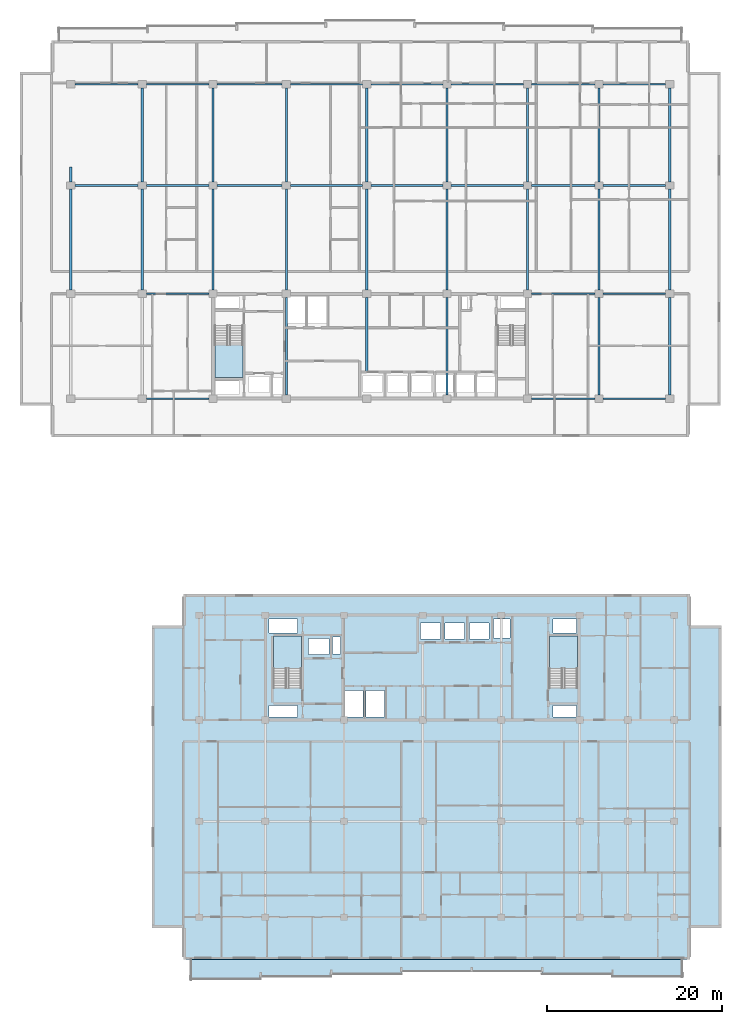
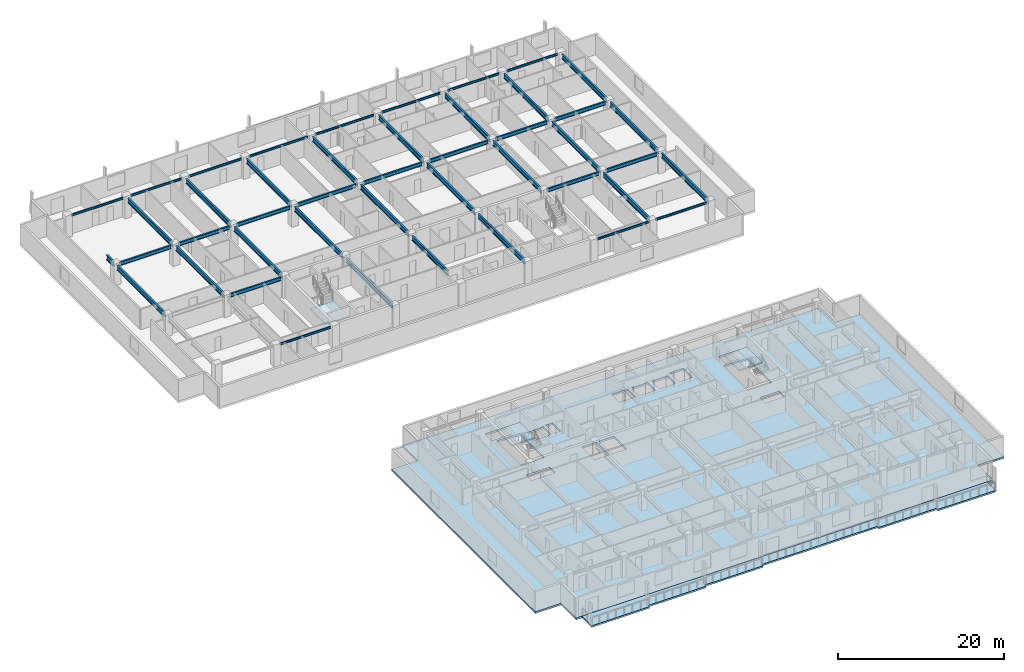
# One storey, part 2 of 22: 45 beams, 5 slabs, 3 elements without a shape of their own.
"""IFC4 building model written with IfcOpenShell, lengths in metres."""

from ifc_helpers import new_model, si_unit, direction, frame, origin, origin_2d, place, context, subcontext, project, spatial, polyline, i_section, outline, extrude, material, layer, layer_set, material_profile, profile_set, type_object, element, aggregate, save


model = new_model("IFC4")

# Units and contexts
model_context = context("Model", 3, precision=1e-05, world=origin(), true_north=direction((0.0, 1.0)))
body_context = subcontext(model_context, "Body", "Model", "MODEL_VIEW")
ifc_project = project(units=[si_unit("LENGTHUNIT", "METRE"), si_unit("AREAUNIT", "SQUARE_METRE"), si_unit("VOLUMEUNIT", "CUBIC_METRE"), si_unit("PLANEANGLEUNIT", "RADIAN"), si_unit("MASSUNIT", "GRAM", prefix="KILO")], contexts=[model_context])

# Site, building, storey
site_placement = place(None, origin())
site = spatial("IfcSite", under=ifc_project, at=site_placement, CompositionType="ELEMENT")
building_placement = place(site_placement, origin())
building = spatial("IfcBuilding", under=site, at=building_placement, Name="Korimba Cascade Residences", CompositionType="ELEMENT")
storey_placement = place(building_placement, frame((0.0, 0.0, 126.300048828125)))
storey = spatial("IfcBuildingStorey", under=building, at=storey_placement, Name="L36", CompositionType="ELEMENT", Elevation=126.300048828125)

# Beams
ifc_material_1 = material(Name="Steel S355", Category="steel")
ifc_material_profile_1 = material_profile(ifc_material_1, i_section(OverallWidth=0.165771484375, OverallDepth=0.306640625, WebThickness=0.006591796875, FlangeThickness=0.01171875, FilletRadius=0.0087890625, at=origin_2d()), Name="Steel S355")
ifc_profile_set_1 = profile_set([ifc_material_profile_1], Name="Steel S355")
beam_type_1 = type_object("IfcBeamType", Name="BM-STL-UB305", PredefinedType="SPANDREL", material=ifc_profile_set_1)
beam_1_placement = place(storey_placement, frame((68.47509765625, 55.199951171875, 2.816650390625), z_axis=(1.0, 0.0, 0.0), x_axis=(0.0, 1.0, 0.0)))
element("IfcBeam", 1, at=beam_1_placement, inside=storey, type_object=beam_type_1, Name="L36 T1 E-W Girder Y1 Bay 2", PredefinedType="SPANDREL", context=body_context, shape_type="SweptSolid", body=[
    extrude(i_section(OverallWidth=0.165771484375, OverallDepth=0.306640625, WebThickness=0.006591796875, FlangeThickness=0.01171875, FilletRadius=0.0087890625, at=origin_2d()), origin(), (0.0, 0.0, 1.0), 7.14990234375),
])
beam_2_placement = place(storey_placement, frame((112.574951171875, 55.199951171875, 2.816650390625), z_axis=(1.0, 0.0, 0.0), x_axis=(0.0, 1.0, 0.0)))
element("IfcBeam", 2, at=beam_2_placement, inside=storey, type_object=beam_type_1, Name="L36 T1 E-W Girder Y1 Bay 7", PredefinedType="SPANDREL", context=body_context, shape_type="SweptSolid", body=[
    extrude(i_section(OverallWidth=0.165771484375, OverallDepth=0.306640625, WebThickness=0.006591796875, FlangeThickness=0.01171875, FilletRadius=0.0087890625, at=origin_2d()), origin(), (0.0, 0.0, 1.0), 7.25),
])
beam_3_placement = place(storey_placement, frame((120.77490234375, 55.199951171875, 2.816650390625), z_axis=(1.0, 0.0, 0.0), x_axis=(0.0, 1.0, 0.0)))
element("IfcBeam", 3, at=beam_3_placement, inside=storey, type_object=beam_type_1, Name="L36 T1 E-W Girder Y1 Bay 8", PredefinedType="SPANDREL", context=body_context, shape_type="SweptSolid", body=[
    extrude(i_section(OverallWidth=0.165771484375, OverallDepth=0.306640625, WebThickness=0.006591796875, FlangeThickness=0.01171875, FilletRadius=0.0087890625, at=origin_2d()), origin(), (0.0, 0.0, 1.0), 7.150146484375),
])
beam_4_placement = place(storey_placement, frame((60.27490234375, 91.199951171875, 2.816650390625), z_axis=(1.0, 0.0, 0.0), x_axis=(0.0, 1.0, 0.0)))
element("IfcBeam", 4, at=beam_4_placement, inside=storey, type_object=beam_type_1, Name="L36 T1 E-W Girder Y4 Bay 1", PredefinedType="SPANDREL", context=body_context, shape_type="SweptSolid", body=[
    extrude(i_section(OverallWidth=0.165771484375, OverallDepth=0.306640625, WebThickness=0.006591796875, FlangeThickness=0.01171875, FilletRadius=0.0087890625, at=origin_2d()), origin(), (0.0, 0.0, 1.0), 7.25),
])
beam_5_placement = place(storey_placement, frame((68.47509765625, 91.199951171875, 2.816650390625), z_axis=(1.0, 0.0, 0.0), x_axis=(0.0, 1.0, 0.0)))
element("IfcBeam", 5, at=beam_5_placement, inside=storey, type_object=beam_type_1, Name="L36 T1 E-W Girder Y4 Bay 2", PredefinedType="SPANDREL", context=body_context, shape_type="SweptSolid", body=[
    extrude(i_section(OverallWidth=0.165771484375, OverallDepth=0.306640625, WebThickness=0.006591796875, FlangeThickness=0.01171875, FilletRadius=0.0087890625, at=origin_2d()), origin(), (0.0, 0.0, 1.0), 7.14990234375),
])
beam_6_placement = place(storey_placement, frame((76.574951171875, 91.199951171875, 2.816650390625), z_axis=(1.0, 0.0, 0.0), x_axis=(0.0, 1.0, 0.0)))
element("IfcBeam", 6, at=beam_6_placement, inside=storey, type_object=beam_type_1, Name="L36 T1 E-W Girder Y4 Bay 3", PredefinedType="SPANDREL", context=body_context, shape_type="SweptSolid", body=[
    extrude(i_section(OverallWidth=0.165771484375, OverallDepth=0.306640625, WebThickness=0.006591796875, FlangeThickness=0.01171875, FilletRadius=0.0087890625, at=origin_2d()), origin(), (0.0, 0.0, 1.0), 7.449951171875),
])
for number, where, z_axis, x_axis, name in (
    (7, (84.97509765625, 91.199951171875, 2.816650390625), (1.0, 0.0, 0.0), (0.0, 1.0, 0.0), "L36 T1 E-W Girder Y4 Bay 4"),
    (8, (94.175048828125, 91.199951171875, 2.816650390625), (1.0, 0.0, 0.0), (0.0, 1.0, 0.0), "L36 T1 E-W Girder Y4 Bay 5"),
    (9, (103.375, 91.199951171875, 2.816650390625), (1.0, 0.0, 0.0), (0.0, 1.0, 0.0), "L36 T1 E-W Girder Y4 Bay 6"),
):
    element("IfcBeam", number, at=place(storey_placement, frame(where, z_axis=z_axis, x_axis=x_axis)), inside=storey, type_object=beam_type_1, Name=name, PredefinedType="SPANDREL", context=body_context, shape_type="SweptSolid", body=[
        extrude(i_section(OverallWidth=0.165771484375, OverallDepth=0.306640625, WebThickness=0.006591796875, FlangeThickness=0.01171875, FilletRadius=0.0087890625, at=origin_2d()), origin(), (0.0, 0.0, 1.0), 8.25),
    ])
beam_7_placement = place(storey_placement, frame((112.574951171875, 91.199951171875, 2.816650390625), z_axis=(1.0, 0.0, 0.0), x_axis=(0.0, 1.0, 0.0)))
element("IfcBeam", 10, at=beam_7_placement, inside=storey, type_object=beam_type_1, Name="L36 T1 E-W Girder Y4 Bay 7", PredefinedType="SPANDREL", context=body_context, shape_type="SweptSolid", body=[
    extrude(i_section(OverallWidth=0.165771484375, OverallDepth=0.306640625, WebThickness=0.006591796875, FlangeThickness=0.01171875, FilletRadius=0.0087890625, at=origin_2d()), origin(), (0.0, 0.0, 1.0), 7.25),
])
beam_8_placement = place(storey_placement, frame((120.77490234375, 91.199951171875, 2.816650390625), z_axis=(1.0, 0.0, 0.0), x_axis=(0.0, 1.0, 0.0)))
element("IfcBeam", 11, at=beam_8_placement, inside=storey, type_object=beam_type_1, Name="L36 T1 E-W Girder Y4 Bay 8", PredefinedType="SPANDREL", context=body_context, shape_type="SweptSolid", body=[
    extrude(i_section(OverallWidth=0.165771484375, OverallDepth=0.306640625, WebThickness=0.006591796875, FlangeThickness=0.01171875, FilletRadius=0.0087890625, at=origin_2d()), origin(), (0.0, 0.0, 1.0), 7.150146484375),
])
ifc_material_profile_2 = material_profile(ifc_material_1, i_section(OverallWidth=0.2099609375, OverallDepth=0.53662109375, WebThickness=0.0107421875, FlangeThickness=0.017333984375, FilletRadius=0.0126953125, at=origin_2d()), Name="Steel S355")
ifc_profile_set_2 = profile_set([ifc_material_profile_2], Name="Steel S355")
beam_type_2 = type_object("IfcBeamType", Name="BM-STL-UB533", PredefinedType="BEAM", material=ifc_profile_set_2)
beam_9_placement = place(storey_placement, frame((68.47509765625, 67.199951171875, 2.70166015625), z_axis=(1.0, 0.0, 0.0), x_axis=(0.0, 1.0, 0.0)))
element("IfcBeam", 12, at=beam_9_placement, inside=storey, type_object=beam_type_2, Name="L36 T1 E-W Girder Y2 Bay 2", PredefinedType="BEAM", context=body_context, shape_type="SweptSolid", body=[
    extrude(i_section(OverallWidth=0.2099609375, OverallDepth=0.53662109375, WebThickness=0.0107421875, FlangeThickness=0.017333984375, FilletRadius=0.0126953125, at=origin_2d()), origin(), (0.0, 0.0, 1.0), 7.14990234375),
])
beam_10_placement = place(storey_placement, frame((112.574951171875, 67.199951171875, 2.70166015625), z_axis=(1.0, 0.0, 0.0), x_axis=(0.0, 1.0, 0.0)))
element("IfcBeam", 13, at=beam_10_placement, inside=storey, type_object=beam_type_2, Name="L36 T1 E-W Girder Y2 Bay 7", PredefinedType="BEAM", context=body_context, shape_type="SweptSolid", body=[
    extrude(i_section(OverallWidth=0.2099609375, OverallDepth=0.53662109375, WebThickness=0.0107421875, FlangeThickness=0.017333984375, FilletRadius=0.0126953125, at=origin_2d()), origin(), (0.0, 0.0, 1.0), 7.25),
])
beam_11_placement = place(storey_placement, frame((120.77490234375, 67.199951171875, 2.70166015625), z_axis=(1.0, 0.0, 0.0), x_axis=(0.0, 1.0, 0.0)))
element("IfcBeam", 14, at=beam_11_placement, inside=storey, type_object=beam_type_2, Name="L36 T1 E-W Girder Y2 Bay 8", PredefinedType="BEAM", context=body_context, shape_type="SweptSolid", body=[
    extrude(i_section(OverallWidth=0.2099609375, OverallDepth=0.53662109375, WebThickness=0.0107421875, FlangeThickness=0.017333984375, FilletRadius=0.0126953125, at=origin_2d()), origin(), (0.0, 0.0, 1.0), 7.150146484375),
])
beam_12_placement = place(storey_placement, frame((60.27490234375, 79.60009765625, 2.70166015625), z_axis=(1.0, 0.0, 0.0), x_axis=(0.0, 1.0, 0.0)))
element("IfcBeam", 15, at=beam_12_placement, inside=storey, type_object=beam_type_2, Name="L36 T1 E-W Girder Y3 Bay 1", PredefinedType="BEAM", context=body_context, shape_type="SweptSolid", body=[
    extrude(i_section(OverallWidth=0.2099609375, OverallDepth=0.53662109375, WebThickness=0.0107421875, FlangeThickness=0.017333984375, FilletRadius=0.0126953125, at=origin_2d()), origin(), (0.0, 0.0, 1.0), 7.25),
])
beam_13_placement = place(storey_placement, frame((68.47509765625, 79.60009765625, 2.70166015625), z_axis=(1.0, 0.0, 0.0), x_axis=(0.0, 1.0, 0.0)))
element("IfcBeam", 16, at=beam_13_placement, inside=storey, type_object=beam_type_2, Name="L36 T1 E-W Girder Y3 Bay 2", PredefinedType="BEAM", context=body_context, shape_type="SweptSolid", body=[
    extrude(i_section(OverallWidth=0.2099609375, OverallDepth=0.53662109375, WebThickness=0.0107421875, FlangeThickness=0.017333984375, FilletRadius=0.0126953125, at=origin_2d()), origin(), (0.0, 0.0, 1.0), 7.14990234375),
])
beam_14_placement = place(storey_placement, frame((76.574951171875, 79.60009765625, 2.70166015625), z_axis=(1.0, 0.0, 0.0), x_axis=(0.0, 1.0, 0.0)))
element("IfcBeam", 17, at=beam_14_placement, inside=storey, type_object=beam_type_2, Name="L36 T1 E-W Girder Y3 Bay 3", PredefinedType="BEAM", context=body_context, shape_type="SweptSolid", body=[
    extrude(i_section(OverallWidth=0.2099609375, OverallDepth=0.53662109375, WebThickness=0.0107421875, FlangeThickness=0.017333984375, FilletRadius=0.0126953125, at=origin_2d()), origin(), (0.0, 0.0, 1.0), 7.449951171875),
])
for number, where, z_axis, x_axis, name in (
    (18, (84.97509765625, 79.60009765625, 2.70166015625), (1.0, 0.0, 0.0), (0.0, 1.0, 0.0), "L36 T1 E-W Girder Y3 Bay 4"),
    (19, (94.175048828125, 79.60009765625, 2.70166015625), (1.0, 0.0, 0.0), (0.0, 1.0, 0.0), "L36 T1 E-W Girder Y3 Bay 5"),
    (20, (103.375, 79.60009765625, 2.70166015625), (1.0, 0.0, 0.0), (0.0, 1.0, 0.0), "L36 T1 E-W Girder Y3 Bay 6"),
):
    element("IfcBeam", number, at=place(storey_placement, frame(where, z_axis=z_axis, x_axis=x_axis)), inside=storey, type_object=beam_type_2, Name=name, PredefinedType="BEAM", context=body_context, shape_type="SweptSolid", body=[
        extrude(i_section(OverallWidth=0.2099609375, OverallDepth=0.53662109375, WebThickness=0.0107421875, FlangeThickness=0.017333984375, FilletRadius=0.0126953125, at=origin_2d()), origin(), (0.0, 0.0, 1.0), 8.25),
    ])
beam_15_placement = place(storey_placement, frame((112.574951171875, 79.60009765625, 2.70166015625), z_axis=(1.0, 0.0, 0.0), x_axis=(0.0, 1.0, 0.0)))
element("IfcBeam", 21, at=beam_15_placement, inside=storey, type_object=beam_type_2, Name="L36 T1 E-W Girder Y3 Bay 7", PredefinedType="BEAM", context=body_context, shape_type="SweptSolid", body=[
    extrude(i_section(OverallWidth=0.2099609375, OverallDepth=0.53662109375, WebThickness=0.0107421875, FlangeThickness=0.017333984375, FilletRadius=0.0126953125, at=origin_2d()), origin(), (0.0, 0.0, 1.0), 7.25),
])
beam_16_placement = place(storey_placement, frame((120.77490234375, 79.60009765625, 2.70166015625), z_axis=(1.0, 0.0, 0.0), x_axis=(0.0, 1.0, 0.0)))
element("IfcBeam", 22, at=beam_16_placement, inside=storey, type_object=beam_type_2, Name="L36 T1 E-W Girder Y3 Bay 8", PredefinedType="BEAM", context=body_context, shape_type="SweptSolid", body=[
    extrude(i_section(OverallWidth=0.2099609375, OverallDepth=0.53662109375, WebThickness=0.0107421875, FlangeThickness=0.017333984375, FilletRadius=0.0126953125, at=origin_2d()), origin(), (0.0, 0.0, 1.0), 7.150146484375),
])
ifc_material_profile_3 = material_profile(ifc_material_1, i_section(OverallWidth=0.255859375, OverallDepth=0.69287109375, WebThickness=0.014404296875, FlangeThickness=0.023681640625, FilletRadius=0.01513671875, at=origin_2d()), Name="Steel S355")
ifc_profile_set_3 = profile_set([ifc_material_profile_3], Name="Steel S355")
beam_type_3 = type_object("IfcBeamType", Name="BM-STL-UB686", PredefinedType="BEAM", material=ifc_profile_set_3)
beam_17_placement = place(storey_placement, frame((59.800048828125, 67.625, 2.62353515625), z_axis=(0.0, 1.0, 0.0), x_axis=(-1.0, 0.0, 0.0)))
element("IfcBeam", 23, at=beam_17_placement, inside=storey, type_object=beam_type_3, Name="L36 T1 N-S Girder X1 Seg 2", PredefinedType="BEAM", context=body_context, shape_type="SweptSolid", body=[
    extrude(i_section(OverallWidth=0.255859375, OverallDepth=0.69287109375, WebThickness=0.014404296875, FlangeThickness=0.023681640625, FilletRadius=0.01513671875, at=origin_2d()), origin(), (0.0, 0.0, 1.0), 11.550048828125),
])
beam_18_placement = place(storey_placement, frame((59.800048828125, 80.02490234375, 2.62353515625), z_axis=(0.0, 1.0, 0.0), x_axis=(-1.0, 0.0, 0.0)))
element("IfcBeam", 24, at=beam_18_placement, inside=storey, type_object=beam_type_3, Name="L36 T1 N-S Girder X1 Seg 3", PredefinedType="BEAM", context=body_context, shape_type="SweptSolid", body=[
    extrude(i_section(OverallWidth=0.255859375, OverallDepth=0.69287109375, WebThickness=0.014404296875, FlangeThickness=0.023681640625, FilletRadius=0.01513671875, at=origin_2d()), origin(), (0.0, 0.0, 1.0), 1.675048828125),
])
beam_19_placement = place(storey_placement, frame((68.0, 67.625, 2.62353515625), z_axis=(0.0, 1.0, 0.0), x_axis=(-1.0, 0.0, 0.0)))
element("IfcBeam", 25, at=beam_19_placement, inside=storey, type_object=beam_type_3, Name="L36 T1 N-S Girder X2 Seg 2", PredefinedType="BEAM", context=body_context, shape_type="SweptSolid", body=[
    extrude(i_section(OverallWidth=0.255859375, OverallDepth=0.69287109375, WebThickness=0.014404296875, FlangeThickness=0.023681640625, FilletRadius=0.01513671875, at=origin_2d()), origin(), (0.0, 0.0, 1.0), 11.550048828125),
])
beam_20_placement = place(storey_placement, frame((68.0, 80.02490234375, 2.62353515625), z_axis=(0.0, 1.0, 0.0), x_axis=(-1.0, 0.0, 0.0)))
element("IfcBeam", 26, at=beam_20_placement, inside=storey, type_object=beam_type_3, Name="L36 T1 N-S Girder X2 Seg 3", PredefinedType="BEAM", context=body_context, shape_type="SweptSolid", body=[
    extrude(i_section(OverallWidth=0.255859375, OverallDepth=0.69287109375, WebThickness=0.014404296875, FlangeThickness=0.023681640625, FilletRadius=0.01513671875, at=origin_2d()), origin(), (0.0, 0.0, 1.0), 10.75),
])
beam_21_placement = place(storey_placement, frame((76.10009765625, 67.625, 2.62353515625), z_axis=(0.0, 1.0, 0.0), x_axis=(-1.0, 0.0, 0.0)))
element("IfcBeam", 27, at=beam_21_placement, inside=storey, type_object=beam_type_3, Name="L36 T1 N-S Girder X3 Seg 2", PredefinedType="BEAM", context=body_context, shape_type="SweptSolid", body=[
    extrude(i_section(OverallWidth=0.255859375, OverallDepth=0.69287109375, WebThickness=0.014404296875, FlangeThickness=0.023681640625, FilletRadius=0.01513671875, at=origin_2d()), origin(), (0.0, 0.0, 1.0), 11.550048828125),
])
beam_22_placement = place(storey_placement, frame((76.10009765625, 80.02490234375, 2.62353515625), z_axis=(0.0, 1.0, 0.0), x_axis=(-1.0, 0.0, 0.0)))
element("IfcBeam", 28, at=beam_22_placement, inside=storey, type_object=beam_type_3, Name="L36 T1 N-S Girder X3 Seg 3", PredefinedType="BEAM", context=body_context, shape_type="SweptSolid", body=[
    extrude(i_section(OverallWidth=0.255859375, OverallDepth=0.69287109375, WebThickness=0.014404296875, FlangeThickness=0.023681640625, FilletRadius=0.01513671875, at=origin_2d()), origin(), (0.0, 0.0, 1.0), 10.75),
])
beam_23_placement = place(storey_placement, frame((84.5, 55.625, 2.62353515625), z_axis=(0.0, 1.0, 0.0), x_axis=(-1.0, 0.0, 0.0)))
element("IfcBeam", 29, at=beam_23_placement, inside=storey, type_object=beam_type_3, Name="L36 T1 N-S Girder X4 Seg 1", PredefinedType="BEAM", context=body_context, shape_type="SweptSolid", body=[
    extrude(i_section(OverallWidth=0.255859375, OverallDepth=0.69287109375, WebThickness=0.014404296875, FlangeThickness=0.023681640625, FilletRadius=0.01513671875, at=origin_2d()), origin(), (0.0, 0.0, 1.0), 11.14990234375),
])
beam_24_placement = place(storey_placement, frame((84.5, 67.625, 2.62353515625), z_axis=(0.0, 1.0, 0.0), x_axis=(-1.0, 0.0, 0.0)))
element("IfcBeam", 30, at=beam_24_placement, inside=storey, type_object=beam_type_3, Name="L36 T1 N-S Girder X4 Seg 2", PredefinedType="BEAM", context=body_context, shape_type="SweptSolid", body=[
    extrude(i_section(OverallWidth=0.255859375, OverallDepth=0.69287109375, WebThickness=0.014404296875, FlangeThickness=0.023681640625, FilletRadius=0.01513671875, at=origin_2d()), origin(), (0.0, 0.0, 1.0), 11.550048828125),
])
beam_25_placement = place(storey_placement, frame((84.5, 80.02490234375, 2.62353515625), z_axis=(0.0, 1.0, 0.0), x_axis=(-1.0, 0.0, 0.0)))
element("IfcBeam", 31, at=beam_25_placement, inside=storey, type_object=beam_type_3, Name="L36 T1 N-S Girder X4 Seg 3", PredefinedType="BEAM", context=body_context, shape_type="SweptSolid", body=[
    extrude(i_section(OverallWidth=0.255859375, OverallDepth=0.69287109375, WebThickness=0.014404296875, FlangeThickness=0.023681640625, FilletRadius=0.01513671875, at=origin_2d()), origin(), (0.0, 0.0, 1.0), 10.75),
])
beam_26_placement = place(storey_placement, frame((93.699951171875, 58.159912109375, 2.62353515625), z_axis=(0.0, 1.0, 0.0), x_axis=(-1.0, 0.0, 0.0)))
element("IfcBeam", 32, at=beam_26_placement, inside=storey, type_object=beam_type_3, Name="L36 T1 N-S Girder X5 Seg 1", PredefinedType="BEAM", context=body_context, shape_type="SweptSolid", body=[
    extrude(i_section(OverallWidth=0.255859375, OverallDepth=0.69287109375, WebThickness=0.014404296875, FlangeThickness=0.023681640625, FilletRadius=0.01513671875, at=origin_2d()), origin(), (0.0, 0.0, 1.0), 8.614990234375),
])
beam_27_placement = place(storey_placement, frame((93.699951171875, 67.625, 2.62353515625), z_axis=(0.0, 1.0, 0.0), x_axis=(-1.0, 0.0, 0.0)))
element("IfcBeam", 33, at=beam_27_placement, inside=storey, type_object=beam_type_3, Name="L36 T1 N-S Girder X5 Seg 2", PredefinedType="BEAM", context=body_context, shape_type="SweptSolid", body=[
    extrude(i_section(OverallWidth=0.255859375, OverallDepth=0.69287109375, WebThickness=0.014404296875, FlangeThickness=0.023681640625, FilletRadius=0.01513671875, at=origin_2d()), origin(), (0.0, 0.0, 1.0), 11.550048828125),
])
beam_28_placement = place(storey_placement, frame((93.699951171875, 80.02490234375, 2.62353515625), z_axis=(0.0, 1.0, 0.0), x_axis=(-1.0, 0.0, 0.0)))
element("IfcBeam", 34, at=beam_28_placement, inside=storey, type_object=beam_type_3, Name="L36 T1 N-S Girder X5 Seg 3", PredefinedType="BEAM", context=body_context, shape_type="SweptSolid", body=[
    extrude(i_section(OverallWidth=0.255859375, OverallDepth=0.69287109375, WebThickness=0.014404296875, FlangeThickness=0.023681640625, FilletRadius=0.01513671875, at=origin_2d()), origin(), (0.0, 0.0, 1.0), 10.75),
])
beam_29_placement = place(storey_placement, frame((102.89990234375, 55.625, 2.62353515625), z_axis=(0.0, 1.0, 0.0), x_axis=(-1.0, 0.0, 0.0)))
element("IfcBeam", 35, at=beam_29_placement, inside=storey, type_object=beam_type_3, Name="L36 T1 N-S Girder X6 Seg 1", PredefinedType="BEAM", context=body_context, shape_type="SweptSolid", body=[
    extrude(i_section(OverallWidth=0.255859375, OverallDepth=0.69287109375, WebThickness=0.014404296875, FlangeThickness=0.023681640625, FilletRadius=0.01513671875, at=origin_2d()), origin(), (0.0, 0.0, 1.0), 11.14990234375),
])
beam_30_placement = place(storey_placement, frame((102.89990234375, 67.625, 2.62353515625), z_axis=(0.0, 1.0, 0.0), x_axis=(-1.0, 0.0, 0.0)))
element("IfcBeam", 36, at=beam_30_placement, inside=storey, type_object=beam_type_3, Name="L36 T1 N-S Girder X6 Seg 2", PredefinedType="BEAM", context=body_context, shape_type="SweptSolid", body=[
    extrude(i_section(OverallWidth=0.255859375, OverallDepth=0.69287109375, WebThickness=0.014404296875, FlangeThickness=0.023681640625, FilletRadius=0.01513671875, at=origin_2d()), origin(), (0.0, 0.0, 1.0), 11.550048828125),
])
beam_31_placement = place(storey_placement, frame((102.89990234375, 80.02490234375, 2.62353515625), z_axis=(0.0, 1.0, 0.0), x_axis=(-1.0, 0.0, 0.0)))
element("IfcBeam", 37, at=beam_31_placement, inside=storey, type_object=beam_type_3, Name="L36 T1 N-S Girder X6 Seg 3", PredefinedType="BEAM", context=body_context, shape_type="SweptSolid", body=[
    extrude(i_section(OverallWidth=0.255859375, OverallDepth=0.69287109375, WebThickness=0.014404296875, FlangeThickness=0.023681640625, FilletRadius=0.01513671875, at=origin_2d()), origin(), (0.0, 0.0, 1.0), 10.75),
])
beam_32_placement = place(storey_placement, frame((112.10009765625, 67.625, 2.62353515625), z_axis=(0.0, 1.0, 0.0), x_axis=(-1.0, 0.0, 0.0)))
element("IfcBeam", 38, at=beam_32_placement, inside=storey, type_object=beam_type_3, Name="L36 T1 N-S Girder X7 Seg 2", PredefinedType="BEAM", context=body_context, shape_type="SweptSolid", body=[
    extrude(i_section(OverallWidth=0.255859375, OverallDepth=0.69287109375, WebThickness=0.014404296875, FlangeThickness=0.023681640625, FilletRadius=0.01513671875, at=origin_2d()), origin(), (0.0, 0.0, 1.0), 11.550048828125),
])
beam_33_placement = place(storey_placement, frame((112.10009765625, 80.02490234375, 2.62353515625), z_axis=(0.0, 1.0, 0.0), x_axis=(-1.0, 0.0, 0.0)))
element("IfcBeam", 39, at=beam_33_placement, inside=storey, type_object=beam_type_3, Name="L36 T1 N-S Girder X7 Seg 3", PredefinedType="BEAM", context=body_context, shape_type="SweptSolid", body=[
    extrude(i_section(OverallWidth=0.255859375, OverallDepth=0.69287109375, WebThickness=0.014404296875, FlangeThickness=0.023681640625, FilletRadius=0.01513671875, at=origin_2d()), origin(), (0.0, 0.0, 1.0), 10.75),
])
beam_34_placement = place(storey_placement, frame((120.300048828125, 55.625, 2.62353515625), z_axis=(0.0, 1.0, 0.0), x_axis=(-1.0, 0.0, 0.0)))
element("IfcBeam", 40, at=beam_34_placement, inside=storey, type_object=beam_type_3, Name="L36 T1 N-S Girder X8 Seg 1", PredefinedType="BEAM", context=body_context, shape_type="SweptSolid", body=[
    extrude(i_section(OverallWidth=0.255859375, OverallDepth=0.69287109375, WebThickness=0.014404296875, FlangeThickness=0.023681640625, FilletRadius=0.01513671875, at=origin_2d()), origin(), (0.0, 0.0, 1.0), 11.14990234375),
])
beam_35_placement = place(storey_placement, frame((120.300048828125, 67.625, 2.62353515625), z_axis=(0.0, 1.0, 0.0), x_axis=(-1.0, 0.0, 0.0)))
element("IfcBeam", 41, at=beam_35_placement, inside=storey, type_object=beam_type_3, Name="L36 T1 N-S Girder X8 Seg 2", PredefinedType="BEAM", context=body_context, shape_type="SweptSolid", body=[
    extrude(i_section(OverallWidth=0.255859375, OverallDepth=0.69287109375, WebThickness=0.014404296875, FlangeThickness=0.023681640625, FilletRadius=0.01513671875, at=origin_2d()), origin(), (0.0, 0.0, 1.0), 11.550048828125),
])
beam_36_placement = place(storey_placement, frame((120.300048828125, 80.02490234375, 2.62353515625), z_axis=(0.0, 1.0, 0.0), x_axis=(-1.0, 0.0, 0.0)))
element("IfcBeam", 42, at=beam_36_placement, inside=storey, type_object=beam_type_3, Name="L36 T1 N-S Girder X8 Seg 3", PredefinedType="BEAM", context=body_context, shape_type="SweptSolid", body=[
    extrude(i_section(OverallWidth=0.255859375, OverallDepth=0.69287109375, WebThickness=0.014404296875, FlangeThickness=0.023681640625, FilletRadius=0.01513671875, at=origin_2d()), origin(), (0.0, 0.0, 1.0), 10.75),
])
beam_37_placement = place(storey_placement, frame((128.39990234375, 55.625, 2.62353515625), z_axis=(0.0, 1.0, 0.0), x_axis=(-1.0, 0.0, 0.0)))
element("IfcBeam", 43, at=beam_37_placement, inside=storey, type_object=beam_type_3, Name="L36 T1 N-S Girder X9 Seg 1", PredefinedType="BEAM", context=body_context, shape_type="SweptSolid", body=[
    extrude(i_section(OverallWidth=0.255859375, OverallDepth=0.69287109375, WebThickness=0.014404296875, FlangeThickness=0.023681640625, FilletRadius=0.01513671875, at=origin_2d()), origin(), (0.0, 0.0, 1.0), 11.14990234375),
])
beam_38_placement = place(storey_placement, frame((128.39990234375, 67.625, 2.62353515625), z_axis=(0.0, 1.0, 0.0), x_axis=(-1.0, 0.0, 0.0)))
element("IfcBeam", 44, at=beam_38_placement, inside=storey, type_object=beam_type_3, Name="L36 T1 N-S Girder X9 Seg 2", PredefinedType="BEAM", context=body_context, shape_type="SweptSolid", body=[
    extrude(i_section(OverallWidth=0.255859375, OverallDepth=0.69287109375, WebThickness=0.014404296875, FlangeThickness=0.023681640625, FilletRadius=0.01513671875, at=origin_2d()), origin(), (0.0, 0.0, 1.0), 11.550048828125),
])
beam_39_placement = place(storey_placement, frame((128.39990234375, 80.02490234375, 2.62353515625), z_axis=(0.0, 1.0, 0.0), x_axis=(-1.0, 0.0, 0.0)))
element("IfcBeam", 45, at=beam_39_placement, inside=storey, type_object=beam_type_3, Name="L36 T1 N-S Girder X9 Seg 3", PredefinedType="BEAM", context=body_context, shape_type="SweptSolid", body=[
    extrude(i_section(OverallWidth=0.255859375, OverallDepth=0.69287109375, WebThickness=0.014404296875, FlangeThickness=0.023681640625, FilletRadius=0.01513671875, at=origin_2d()), origin(), (0.0, 0.0, 1.0), 10.75),
])

# Stair, slab
ifc_material_2 = material(Name="Concrete C50/60", Category="concrete")
stair_type_1 = type_object("IfcStairType", Name="STR-W1-18R-1806", PredefinedType="HALF_TURN_STAIR", material=ifc_material_2)
stair_1_placement = place(storey_placement, origin())
stair_1 = element("IfcStair", 46, at=stair_1_placement, inside=storey, type_object=stair_type_1, Name="L36 Tower 1 West Fire Stair ST-W1", PredefinedType="HALF_TURN_STAIR")
ifc_layer_1 = layer(ifc_material_2, 0.199951171875)
ifc_layer_set_1 = layer_set([ifc_layer_1], Name="Concrete C50/60")
slab_type_1 = type_object("IfcSlabType", Name="SLB-LND-220", PredefinedType="LANDING", material=ifc_layer_set_1)
slab_1_placement = place(storey_placement, frame((0.0, 0.0, 1.425048828125)))
slab_1 = element("IfcSlab", 47, at=slab_1_placement, type_object=slab_type_1, Name="ST-W1 landing 1", PredefinedType="LANDING", context=body_context, shape_type="SweptSolid", body=[
    extrude(outline(polyline([(76.300048828125, 61.31005859375), (76.300048828125, 57.60009765625), (79.5400390625, 57.60009765625), (79.5400390625, 61.31005859375), (76.300048828125, 61.31005859375)])), origin(), (0.0, 0.0, 1.0), 0.199951171875),
])
aggregate(stair_1, [slab_1])

stair_type_2 = type_object("IfcStairType", Name="STR-E1-18R-1806", PredefinedType="HALF_TURN_STAIR", material=ifc_material_2)
stair_2_placement = place(storey_placement, origin())
stair_2 = element("IfcStair", 48, at=stair_2_placement, inside=storey, type_object=stair_type_2, Name="L36 Tower 2 West Fire Stair ST-E1", PredefinedType="HALF_TURN_STAIR")
slab_2_placement = place(storey_placement, frame((0.0, 0.0, 1.425048828125)))
slab_2 = element("IfcSlab", 49, at=slab_2_placement, type_object=slab_type_1, Name="ST-E1 landing 1", PredefinedType="LANDING", context=body_context, shape_type="SweptSolid", body=[
    extrude(outline(polyline([(86.239990234375, 24.2900390625), (86.239990234375, 28.0), (83.0, 28.0), (83.0, 24.2900390625), (86.239990234375, 24.2900390625)])), origin(), (0.0, 0.0, 1.0), 0.199951171875),
])
aggregate(stair_2, [slab_2])

stair_type_3 = type_object("IfcStairType", Name="STR-E2-18R-1806", PredefinedType="HALF_TURN_STAIR", material=ifc_material_2)
stair_3_placement = place(storey_placement, origin())
stair_3 = element("IfcStair", 50, at=stair_3_placement, inside=storey, type_object=stair_type_3, Name="L36 Tower 2 East Fire Stair ST-E2", PredefinedType="HALF_TURN_STAIR")
slab_3_placement = place(storey_placement, frame((0.0, 0.0, 1.425048828125)))
slab_3 = element("IfcSlab", 51, at=slab_3_placement, type_object=slab_type_1, Name="ST-E2 landing 1", PredefinedType="LANDING", context=body_context, shape_type="SweptSolid", body=[
    extrude(outline(polyline([(117.840087890625, 24.2900390625), (117.840087890625, 28.0), (114.60009765625, 28.0), (114.60009765625, 24.2900390625), (117.840087890625, 24.2900390625)])), origin(), (0.0, 0.0, 1.0), 0.199951171875),
])
aggregate(stair_3, [slab_3])

# Slabs
ifc_material_3 = material(Name="Precast concrete C40/50", Category="concrete")
ifc_layer_2 = layer(ifc_material_3, 0.239990234375)
ifc_layer_set_2 = layer_set([ifc_layer_2], Name="Precast concrete C40/50")
slab_type_2 = type_object("IfcSlabType", Name="SLB-LOG-240", PredefinedType="FLOOR", material=ifc_layer_set_2)
slab_4_placement = place(storey_placement, frame((0.0, 0.0, -0.239990234375)))
element("IfcSlab", 52, at=slab_4_placement, inside=storey, type_object=slab_type_2, Name="L36 Tower 2 South Loggia Slab", PredefinedType="FLOOR", context=body_context, shape_type="SweptSolid", body=[
    extrude(outline(polyline([(73.5, -11.35009765625), (81.55712890625, -11.35009765625), (81.55712890625, -11.050048828125), (89.6142578125, -11.050048828125), (89.6142578125, -10.75), (97.67138671875, -10.75), (97.67138671875, -10.449951171875), (113.78564453125, -10.449951171875), (113.78564453125, -10.75), (121.843017578125, -10.75), (121.843017578125, -11.050048828125), (129.89990234375, -11.050048828125), (129.89990234375, -9.0), (73.5, -9.0), (73.5, -11.35009765625)])), origin(), (0.0, 0.0, 1.0), 0.239990234375),
])
ifc_layer_3 = layer(ifc_material_2, 0.280029296875)
ifc_layer_set_3 = layer_set([ifc_layer_3], Name="Concrete C50/60")
slab_type_3 = type_object("IfcSlabType", Name="SLB-TYP-280", PredefinedType="FLOOR", material=ifc_layer_set_3)
slab_5_placement = place(storey_placement, frame((0.0, 0.0, -0.280029296875)))
element("IfcSlab", 53, at=slab_5_placement, inside=storey, type_object=slab_type_3, Name="L36 Tower 2 Floor Slab", PredefinedType="FLOOR", context=body_context, shape_type="SweptSolid", body=[
    extrude(outline(polyline([(72.699951171875, -9.0), (130.699951171875, -9.0), (130.699951171875, -5.39990234375), (134.300048828125, -5.39990234375), (134.300048828125, 29.199951171875), (130.699951171875, 29.199951171875), (130.699951171875, 32.800048828125), (72.699951171875, 32.800048828125), (72.699951171875, 29.199951171875), (69.10009765625, 29.199951171875), (69.10009765625, -5.39990234375), (72.699951171875, -5.39990234375), (72.699951171875, -9.0)]), holes=[polyline([(86.239990234375, 22.0849609375), (86.239990234375, 28.0), (83.0, 28.0), (83.0, 22.0849609375), (86.239990234375, 22.0849609375)]), polyline([(117.840087890625, 22.0849609375), (117.840087890625, 28.0), (114.60009765625, 28.0), (114.60009765625, 22.0849609375), (117.840087890625, 22.0849609375)]), polyline([(87.030029296875, 25.8798828125), (89.3701171875, 25.8798828125), (89.3701171875, 27.719970703125), (87.030029296875, 27.719970703125), (87.030029296875, 25.8798828125)]), polyline([(99.8798828125, 27.679931640625), (102.1201171875, 27.679931640625), (102.1201171875, 29.52001953125), (99.8798828125, 29.52001953125), (99.8798828125, 27.679931640625)]), polyline([(102.679931640625, 27.679931640625), (104.919921875, 27.679931640625), (104.919921875, 29.52001953125), (102.679931640625, 29.52001953125), (102.679931640625, 27.679931640625)]), polyline([(105.47998046875, 27.679931640625), (107.719970703125, 27.679931640625), (107.719970703125, 29.52001953125), (105.47998046875, 29.52001953125), (105.47998046875, 27.679931640625)]), polyline([(89.780029296875, 25.97998046875), (90.719970703125, 25.97998046875), (90.719970703125, 27.919921875), (89.780029296875, 27.919921875), (89.780029296875, 25.97998046875)]), polyline([(82.530029296875, 18.72998046875), (85.800048828125, 18.72998046875), (85.800048828125, 20.0400390625), (82.530029296875, 20.0400390625), (82.530029296875, 18.72998046875)]), polyline([(82.530029296875, 28.360107421875), (85.800048828125, 28.360107421875), (85.800048828125, 29.969970703125), (82.530029296875, 29.969970703125), (82.530029296875, 28.360107421875)]), polyline([(108.22998046875, 27.780029296875), (110.1201171875, 27.780029296875), (110.1201171875, 29.969970703125), (108.22998046875, 29.969970703125), (108.22998046875, 27.780029296875)]), polyline([(91.22998046875, 18.72998046875), (93.27001953125, 18.72998046875), (93.27001953125, 21.780029296875), (91.22998046875, 21.780029296875), (91.22998046875, 18.72998046875)]), polyline([(93.6298828125, 18.72998046875), (95.719970703125, 18.72998046875), (95.719970703125, 21.780029296875), (93.6298828125, 21.780029296875), (93.6298828125, 18.72998046875)]), polyline([(115.02001953125, 18.72998046875), (117.739990234375, 18.72998046875), (117.739990234375, 20.0400390625), (115.02001953125, 20.0400390625), (115.02001953125, 18.72998046875)]), polyline([(115.02001953125, 28.360107421875), (117.739990234375, 28.360107421875), (117.739990234375, 29.969970703125), (115.02001953125, 29.969970703125), (115.02001953125, 28.360107421875)])]), origin(), (0.0, 0.0, 1.0), 0.280029296875),
])

save(model, "model.ifc")
